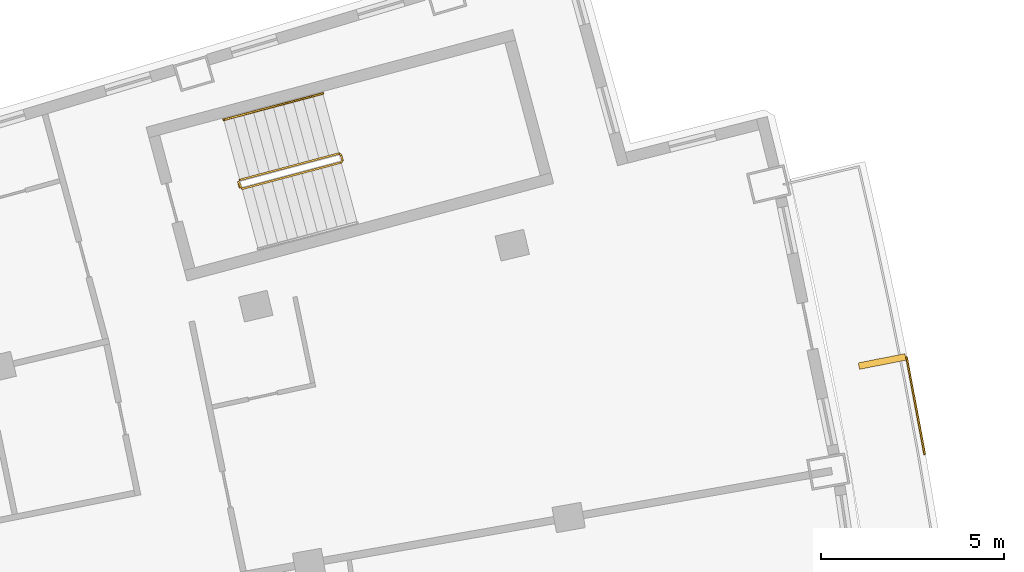
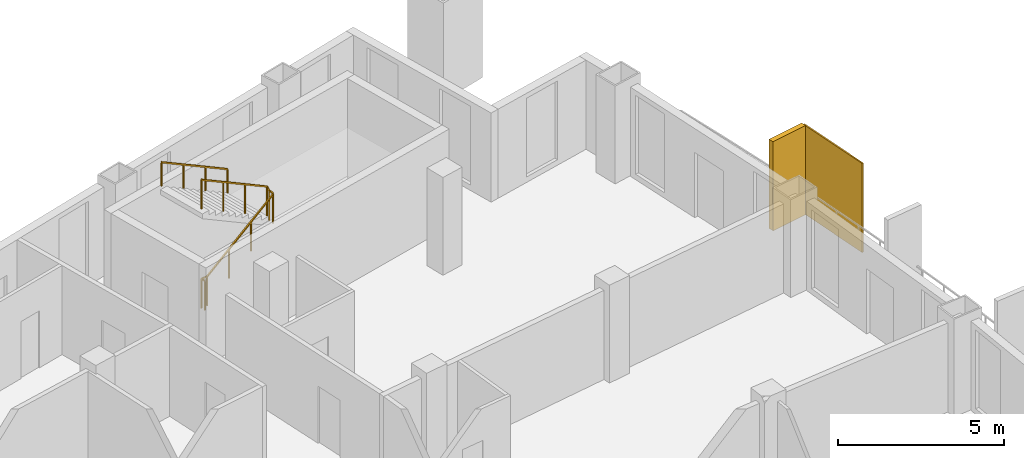
# One storey, part 18 of 18: 2 railings, 2 shading devices.
"""IFC4 building model written with IfcOpenShell, lengths in metres."""

import ifcopenshell
import ifcopenshell.guid

model = None  # the IFC model being written
_history = None  # IfcOwnerHistory: only IFC2X3 demands one
_inside = {}  # id of a spatial element -> (the spatial element, [elements in it])
_under = {}  # id of a project, library or spatial element -> (it, [spatial elements below it])
_declared = {}  # id of a project -> (the project, [libraries it declares])
_typed = {}  # id of a type object -> (the type object, [elements of that type])
_made_of = {}  # id of a material, layer set ... -> (it, [elements and type objects made of it])


def new_model(schema):
    """Start an empty IFC model of exactly this schema.

    Asked for "IFC4X3", IfcOpenShell would pick the latest addendum, in which some entities
    have other attributes; the version numbers below select the first issue.
    IFC2X3 requires an IfcOwnerHistory on every rooted entity: one is made here for all.
    """
    global model, _history
    if schema == "IFC4X3":
        model = ifcopenshell.file(schema_version=(4, 3, 0, 0))
    else:
        model = ifcopenshell.file(schema=schema)
    _inside.clear()
    _under.clear()
    _declared.clear()
    _typed.clear()
    _made_of.clear()
    _history = None
    if model.schema == "IFC2X3":
        org = make("IfcOrganization", Name="unknown")
        user = make(
            "IfcPersonAndOrganization",
            ThePerson=make("IfcPerson", FamilyName="unknown"),
            TheOrganization=org,
        )
        app = make(
            "IfcApplication",
            ApplicationDeveloper=org,
            Version="unknown",
            ApplicationFullName="unknown",
            ApplicationIdentifier="unknown",
        )
        _history = make(
            "IfcOwnerHistory",
            OwningUser=user,
            OwningApplication=app,
            ChangeAction="ADDED",
            CreationDate=0,
        )
    return model


def make(cls, **values):
    """One entity of the class cls with the attributes given. An attribute that is None is left unset."""
    return model.create_entity(
        cls, **{name: value for name, value in values.items() if value is not None}
    )


def rooted(cls, **values):
    """An entity with a GlobalId (a new one), such as an element, a storey or a relation."""
    return make(cls, GlobalId=ifcopenshell.guid.new(), OwnerHistory=_history, **values)


def si_unit(unit_type, name, prefix=None):
    """IfcSIUnit, for example si_unit("LENGTHUNIT", "METRE", prefix="MILLI")."""
    return make("IfcSIUnit", UnitType=unit_type, Prefix=prefix, Name=name)


def assignment(units):
    """IfcUnitAssignment: the units of a project."""
    return None if units is None else make("IfcUnitAssignment", Units=units)


def point(xyz):
    """IfcCartesianPoint."""
    return None if xyz is None else make("IfcCartesianPoint", Coordinates=xyz)


def direction(xyz):
    """IfcDirection."""
    return None if xyz is None else make("IfcDirection", DirectionRatios=xyz)


def frame(location, z_axis=None, x_axis=None):
    """IfcAxis2Placement3D, a coordinate frame: its origin and axes. An axis left out is left unset."""
    return make(
        "IfcAxis2Placement3D",
        Location=point(location),
        Axis=direction(z_axis),
        RefDirection=direction(x_axis),
    )


def frame_2d(location, x_axis=None):
    """IfcAxis2Placement2D, a coordinate frame in the plane: its origin and x axis."""
    return make(
        "IfcAxis2Placement2D", Location=point(location), RefDirection=direction(x_axis)
    )


def origin():
    """The frame at (0, 0, 0) with its axes left unset."""
    return frame((0.0, 0.0, 0.0))


def origin_2d():
    """The frame at (0, 0) in the plane with its x axis left unset."""
    return frame_2d((0.0, 0.0))


def place(relative_to, where):
    """IfcLocalPlacement: puts the frame where relative to a parent placement (None: the world)."""
    return make(
        "IfcLocalPlacement", PlacementRelTo=relative_to, RelativePlacement=where
    )


def context(
    kind, dimensions, precision=None, world=None, true_north=None, identifier=None
):
    """IfcGeometricRepresentationContext, for example the 3D "Model" context."""
    return make(
        "IfcGeometricRepresentationContext",
        ContextIdentifier=identifier,
        ContextType=kind,
        CoordinateSpaceDimension=dimensions,
        Precision=precision,
        WorldCoordinateSystem=world,
        TrueNorth=true_north,
    )


def subcontext(parent, identifier, kind, view, scale=None):
    """IfcGeometricRepresentationSubContext, for example "Body" below "Model"."""
    return make(
        "IfcGeometricRepresentationSubContext",
        ContextIdentifier=identifier,
        ContextType=kind,
        ParentContext=parent,
        TargetScale=scale,
        TargetView=view,
    )


def project(units=None, contexts=None):
    """IfcProject with its units and contexts."""
    return rooted(
        "IfcProject",
        Name="project",
        RepresentationContexts=contexts,
        UnitsInContext=assignment(units),
    )


def spatial(cls, under=None, at=None, **own):
    """A site, building, storey or space (cls), placed at a placement, below another one or the project."""
    s = rooted(cls, ObjectPlacement=at, **own)
    if under is not None:
        _under.setdefault(under.id(), (under, []))[1].append(s)
    return s


def profile(cls, at=None, kind="AREA", **sizes):
    """A parametric profile (cls). Its sizes go by their IFC names, for example OverallWidth=200.0."""
    return make(cls, ProfileType=kind, Position=at, **sizes)


def rectangle(**sizes):
    """IfcRectangleProfileDef."""
    return profile("IfcRectangleProfileDef", **sizes)


def extrude(swept, where, along, depth):
    """IfcExtrudedAreaSolid: the profile swept, set in the frame where, extruded along a direction by depth."""
    return make(
        "IfcExtrudedAreaSolid",
        SweptArea=swept,
        Position=where,
        ExtrudedDirection=direction(along),
        Depth=depth,
    )


def shape(context_of_items, identifier, shape_type, items):
    """IfcShapeRepresentation: the items that make up one representation, for example the "Body"."""
    return make(
        "IfcShapeRepresentation",
        ContextOfItems=context_of_items,
        RepresentationIdentifier=identifier,
        RepresentationType=shape_type,
        Items=items,
    )


def material(Name=None, Category=None):
    """IfcMaterial."""
    return make("IfcMaterial", Name=Name, Category=Category)


def layer(
    of_material, thickness, ventilated=None, Name=None, Category=None, Priority=None
):
    """IfcMaterialLayer: one layer of a wall or slab, of a material (None: an air gap)."""
    return make(
        "IfcMaterialLayer",
        Material=of_material,
        LayerThickness=thickness,
        IsVentilated=ventilated,
        Name=Name,
        Category=Category,
        Priority=Priority,
    )


def layer_set(layers, Name=None):
    """IfcMaterialLayerSet."""
    return make("IfcMaterialLayerSet", MaterialLayers=layers, LayerSetName=Name)


def made_of(thing, what):
    """Note that an element or type object is made of a material, layer set ...; save() writes the relation."""
    if what is not None:
        _made_of.setdefault(what.id(), (what, []))[1].append(thing)
    return thing


def type_object(cls, material=None, **own):
    """A type object (cls), such as IfcWallType, which elements share."""
    return made_of(rooted(cls, **own), material)


def element(
    cls,
    number,
    at=None,
    inside=None,
    cuts=None,
    type_object=None,
    material=None,
    context=None,
    identifier="Body",
    shape_type=None,
    held_by="IfcProductDefinitionShape",
    body=None,
    shapes=None,
    **own,
):
    """One element of the class cls, such as IfcWall. Its Tag is "e" and its number.

    at: its placement. inside: the storey or other place that contains it. cuts: it is an
    opening in that element (IfcRelVoidsElement). A single representation is given by context,
    identifier, shape_type and body (its items); several are given by shapes. held_by: the class
    of the entity that holds the representations. save() writes the other relations.
    """
    e = rooted(cls, Tag="e%d" % number, ObjectPlacement=at, **own)
    if body is not None:
        shapes = [shape(context, identifier, shape_type, body)]
    if shapes is not None:
        e.Representation = make(held_by, Representations=shapes)
    if inside is not None:
        _inside.setdefault(inside.id(), (inside, []))[1].append(e)
    if cuts is not None:
        rooted(
            "IfcRelVoidsElement", RelatingBuildingElement=cuts, RelatedOpeningElement=e
        )
    if type_object is not None:
        _typed.setdefault(type_object.id(), (type_object, []))[1].append(e)
    return made_of(e, material)


def aggregate(whole, parts):
    """IfcRelAggregates: a whole, such as a stair, and the parts it consists of."""
    return rooted("IfcRelAggregates", RelatingObject=whole, RelatedObjects=parts)


def save(model, path):
    """Write the relations noted so far, then the file.

    IfcRelAggregates (storeys below a building ...), IfcRelContainedInSpatialStructure (elements
    in a storey), IfcRelDefinesByType, IfcRelAssociatesMaterial and IfcRelDeclares: one each for
    every whole, place, type object, material and project.
    """
    for whole, parts in _under.values():
        aggregate(whole, parts)
    for where, things in _inside.values():
        rooted(
            "IfcRelContainedInSpatialStructure",
            RelatedElements=things,
            RelatingStructure=where,
        )
    for kind, things in _typed.values():
        rooted("IfcRelDefinesByType", RelatedObjects=things, RelatingType=kind)
    for what, things in _made_of.values():
        rooted("IfcRelAssociatesMaterial", RelatedObjects=things, RelatingMaterial=what)
    for by, libraries in _declared.values():
        rooted("IfcRelDeclares", RelatingContext=by, RelatedDefinitions=libraries)
    model.write(path)


model = new_model("IFC4")

# Units and contexts
model_context = context("Model", 3, precision=1e-05, world=origin(), true_north=direction((0.0, 1.0)))
body_context = subcontext(model_context, "Body", "Model", "MODEL_VIEW")
ifc_project = project(units=[si_unit("LENGTHUNIT", "METRE"), si_unit("AREAUNIT", "SQUARE_METRE"), si_unit("VOLUMEUNIT", "CUBIC_METRE"), si_unit("PLANEANGLEUNIT", "RADIAN"), si_unit("MASSUNIT", "GRAM", prefix="KILO")], contexts=[model_context])

# Site, building, storey
site_placement = place(None, origin())
site = spatial("IfcSite", under=ifc_project, at=site_placement, CompositionType="ELEMENT")
building_placement = place(site_placement, origin())
building = spatial("IfcBuilding", under=site, at=building_placement, Name="Alderwake Tower", CompositionType="ELEMENT")
storey_placement = place(building_placement, frame((0.0, 0.0, 225.199951171875)))
storey = spatial("IfcBuildingStorey", under=building, at=storey_placement, Name="L56", CompositionType="ELEMENT", Elevation=225.199951171875)

# Shading devices
ifc_material_1 = material(Name="Bronze anodised aluminium", Category="aluminium")
ifc_layer_1 = layer(ifc_material_1, 0.179931640625)
ifc_layer_set_1 = layer_set([ifc_layer_1], Name="Facade fin 1300")
shading_device_type_1 = type_object("IfcShadingDeviceType", Name="Facade fin 1300", PredefinedType="USERDEFINED", material=ifc_layer_set_1)
shading_device_1_placement = place(storey_placement, frame((56.774169921875, 87.928955078125, 0.0), z_axis=(0.0, 0.0, 1.0), x_axis=(0.981163751315, 0.193177879441, 0.0)))
element("IfcShadingDevice", 1, at=shading_device_1_placement, inside=storey, type_object=shading_device_type_1, Name="Fin", ObjectType="FIN", PredefinedType="USERDEFINED", context=body_context, shape_type="SweptSolid", body=[
    extrude(rectangle(XDim=1.300048828125, YDim=0.179931640625, at=origin_2d()), origin(), (0.0, 0.0, 1.0), 3.280029296875),
])
ifc_material_2 = material(Name="Perforated bronze anodised aluminium", Category="aluminium")
ifc_layer_2 = layer(ifc_material_2, 0.050048828125)
ifc_layer_set_2 = layer_set([ifc_layer_2], Name="Perforated screen panel")
shading_device_type_2 = type_object("IfcShadingDeviceType", Name="Perforated screen panel", PredefinedType="USERDEFINED", material=ifc_layer_set_2)
shading_device_2_placement = place(storey_placement, frame((57.68603515625, 86.723876953125, 0.0), z_axis=(0.0, 0.0, 1.0), x_axis=(0.982991488043, 0.183651121519, 0.0)))
element("IfcShadingDevice", 2, at=shading_device_2_placement, inside=storey, type_object=shading_device_type_2, Name="Screen panel", ObjectType="SCREEN", PredefinedType="USERDEFINED", context=body_context, shape_type="SweptSolid", body=[
    extrude(rectangle(XDim=0.050048828125, YDim=2.71728515625, at=origin_2d()), origin(), (0.0, 0.0, 1.0), 3.280029296875),
])

# Railings
ifc_material_3 = material(Name="Stainless steel guard", Category="steel")
railing_type_1 = type_object("IfcRailingType", Name="Stair guard 1100", PredefinedType="GUARDRAIL", material=ifc_material_3)
railing_1_placement = place(storey_placement, frame((39.23291015625, 92.6806640625, 0.0)))
element("IfcRailing", 3, at=railing_1_placement, inside=storey, type_object=railing_type_1, Name="L56 ST-A stair guard 1", PredefinedType="GUARDRAIL", context=body_context, shape_type="SweptSolid", body=[
    extrude(rectangle(XDim=0.048095703125, YDim=0.048095703125, at=origin_2d()), frame((0.0, 0.0, 1.076171875), z_axis=(-0.257055032184, 0.966396766566, 0.0), x_axis=(-0.966396766566, -0.257055032184, 0.0)), (0.0, 0.0, 1.0), 0.150146484375),
    extrude(rectangle(XDim=0.048095703125, YDim=0.048095703125, at=origin_2d()), frame((-0.03857421875, 0.14501953125, 1.076171875), z_axis=(0.379370725808, -0.685464465458, 0.621463047167), x_axis=(0.874937996095, 0.484234966715, 0.0)), (0.0, 0.0, 1.0), 0.26318359375),
    extrude(rectangle(XDim=0.048095703125, YDim=0.048095703125, at=origin_2d()), frame((0.061279296875, -0.035400390625, 1.23974609375), z_axis=(0.834258940753, 0.22222815314, 0.504605457487), x_axis=(-0.257402139082, 0.966304371715, 0.0)), (0.0, 0.0, 1.0), 3.2431640625),
    extrude(rectangle(XDim=0.048095703125, YDim=0.048095703125, at=origin_2d()), frame((2.766845703125, 0.685302734375, 2.8759765625), z_axis=(0.500220121494, 0.865898279276, 0.0), x_axis=(-0.865898279276, 0.500220121494, 0.0)), (0.0, 0.0, 1.0), 0.07080078125),
    extrude(rectangle(XDim=0.048095703125, YDim=0.048095703125, at=origin_2d()), frame((2.80224609375, 0.74658203125, 2.8759765625), z_axis=(-0.257459803502, 0.966289009345, 0.0), x_axis=(-0.966289009345, -0.257459803502, 0.0)), (0.0, 0.0, 1.0), 0.14990234375),
    extrude(rectangle(XDim=0.048095703125, YDim=0.048095703125, at=origin_2d()), frame((2.763671875, 0.891357421875, 2.8759765625), z_axis=(-0.34252489212, 0.200034536998, 0.917966710881), x_axis=(-0.504300490226, -0.863528236688, 0.0)), (0.0, 0.0, 1.0), 0.17822265625),
    extrude(rectangle(XDim=0.048095703125, YDim=0.048095703125, at=origin_2d()), frame((2.70263671875, 0.927001953125, 3.03955078125), z_axis=(-0.834281824786, -0.222214197128, 0.504573768072), x_axis=(0.257380452725, -0.966310148221, 0.0)), (0.0, 0.0, 1.0), 3.2431640625),
    extrude(rectangle(XDim=0.0419921875, YDim=0.0419921875, at=origin_2d()), frame((0.0, 0.0, 0.0), z_axis=(0.0, 0.0, 1.0), x_axis=(-0.257055032184, 0.966396766566, 0.0)), (0.0, 0.0, 1.0), 1.052001953125),
    extrude(rectangle(XDim=0.0419921875, YDim=0.0419921875, at=origin_2d()), frame((-0.03857421875, 0.14501953125, 0.0), z_axis=(0.0, 0.0, 1.0), x_axis=(0.484234966715, -0.874937996095, 0.0)), (0.0, 0.0, 1.0), 1.052001953125),
    extrude(rectangle(XDim=0.0419921875, YDim=0.0419921875, at=origin_2d()), frame((0.061279296875, -0.035400390625, 0.16357421875), z_axis=(0.0, 0.0, 1.0), x_axis=(0.966304371715, 0.257402139082, 0.0)), (0.0, 0.0, 1.0), 1.052001953125),
    extrude(rectangle(XDim=0.0419921875, YDim=0.0419921875, at=origin_2d()), frame((0.963134765625, 0.204833984375, 0.708984375), z_axis=(0.0, 0.0, 1.0), x_axis=(0.966304371715, 0.257402139082, 0.0)), (0.0, 0.0, 1.0), 1.052001953125),
    extrude(rectangle(XDim=0.0419921875, YDim=0.0419921875, at=origin_2d()), frame((1.864990234375, 0.445068359375, 1.254638671875), z_axis=(0.0, 0.0, 1.0), x_axis=(0.966304371715, 0.257402139082, 0.0)), (0.0, 0.0, 1.0), 1.052001953125),
    extrude(rectangle(XDim=0.0419921875, YDim=0.0419921875, at=origin_2d()), frame((2.766845703125, 0.685302734375, 1.800048828125), z_axis=(0.0, 0.0, 1.0), x_axis=(0.500220121494, 0.865898279276, 0.0)), (0.0, 0.0, 1.0), 1.052001953125),
    extrude(rectangle(XDim=0.0419921875, YDim=0.0419921875, at=origin_2d()), frame((2.80224609375, 0.74658203125, 1.800048828125), z_axis=(0.0, 0.0, 1.0), x_axis=(-0.257459803502, 0.966289009345, 0.0)), (0.0, 0.0, 1.0), 1.052001953125),
    extrude(rectangle(XDim=0.0419921875, YDim=0.0419921875, at=origin_2d()), frame((2.763671875, 0.891357421875, 1.800048828125), z_axis=(0.0, 0.0, 1.0), x_axis=(-0.863528236688, 0.504300490226, 0.0)), (0.0, 0.0, 1.0), 1.052001953125),
    extrude(rectangle(XDim=0.0419921875, YDim=0.0419921875, at=origin_2d()), frame((2.70263671875, 0.927001953125, 1.963623046875), z_axis=(0.0, 0.0, 1.0), x_axis=(-0.966310148221, -0.257380452725, 0.0)), (0.0, 0.0, 1.0), 1.052001953125),
    extrude(rectangle(XDim=0.0419921875, YDim=0.0419921875, at=origin_2d()), frame((1.80078125, 0.686767578125, 2.509033203125), z_axis=(0.0, 0.0, 1.0), x_axis=(-0.966310148221, -0.257380452725, 0.0)), (0.0, 0.0, 1.0), 1.052001953125),
    extrude(rectangle(XDim=0.0419921875, YDim=0.0419921875, at=origin_2d()), frame((0.898681640625, 0.446533203125, 3.0546875), z_axis=(0.0, 0.0, 1.0), x_axis=(-0.966310148221, -0.257380452725, 0.0)), (0.0, 0.0, 1.0), 1.052001953125),
    extrude(rectangle(XDim=0.0419921875, YDim=0.0419921875, at=origin_2d()), frame((-0.003173828125, 0.206298828125, 3.60009765625), z_axis=(0.0, 0.0, 1.0), x_axis=(-0.966310148221, -0.257380452725, 0.0)), (0.0, 0.0, 1.0), 1.052001953125),
])
ifc_material_4 = material(Name="Stainless steel handrail", Category="steel")
railing_type_2 = type_object("IfcRailingType", Name="Stair handrail 900", PredefinedType="HANDRAIL", material=ifc_material_4)
railing_2_placement = place(storey_placement, frame((41.497802734375, 95.250244140625, 1.963623046875)))
element("IfcRailing", 4, at=railing_2_placement, inside=storey, type_object=railing_type_2, Name="L56 ST-A stair handrail 2", PredefinedType="HANDRAIL", context=body_context, shape_type="SweptSolid", body=[
    extrude(rectangle(XDim=0.048095703125, YDim=0.048095703125, at=origin_2d()), frame((0.0, 0.0, 0.8759765625), z_axis=(-0.834258940753, -0.22222815314, 0.504605457487), x_axis=(0.257402139082, -0.966304371715, 0.0)), (0.0, 0.0, 1.0), 3.2431640625),
    extrude(rectangle(XDim=0.0419921875, YDim=0.0419921875, at=origin_2d()), frame((0.0, 0.0, 0.0), z_axis=(0.0, 0.0, 1.0), x_axis=(-0.966304371715, -0.257402139082, 0.0)), (0.0, 0.0, 1.0), 0.851806640625),
    extrude(rectangle(XDim=0.0419921875, YDim=0.0419921875, at=origin_2d()), frame((-0.90185546875, -0.240234375, 0.54541015625), z_axis=(0.0, 0.0, 1.0), x_axis=(-0.966304371715, -0.257402139082, 0.0)), (0.0, 0.0, 1.0), 0.851806640625),
    extrude(rectangle(XDim=0.0419921875, YDim=0.0419921875, at=origin_2d()), frame((-1.8037109375, -0.48046875, 1.091064453125), z_axis=(0.0, 0.0, 1.0), x_axis=(-0.966304371715, -0.257402139082, 0.0)), (0.0, 0.0, 1.0), 0.851806640625),
    extrude(rectangle(XDim=0.0419921875, YDim=0.0419921875, at=origin_2d()), frame((-2.70556640625, -0.720703125, 1.636474609375), z_axis=(0.0, 0.0, 1.0), x_axis=(-0.966304371715, -0.257402139082, 0.0)), (0.0, 0.0, 1.0), 0.851806640625),
])

save(model, "model.ifc")
